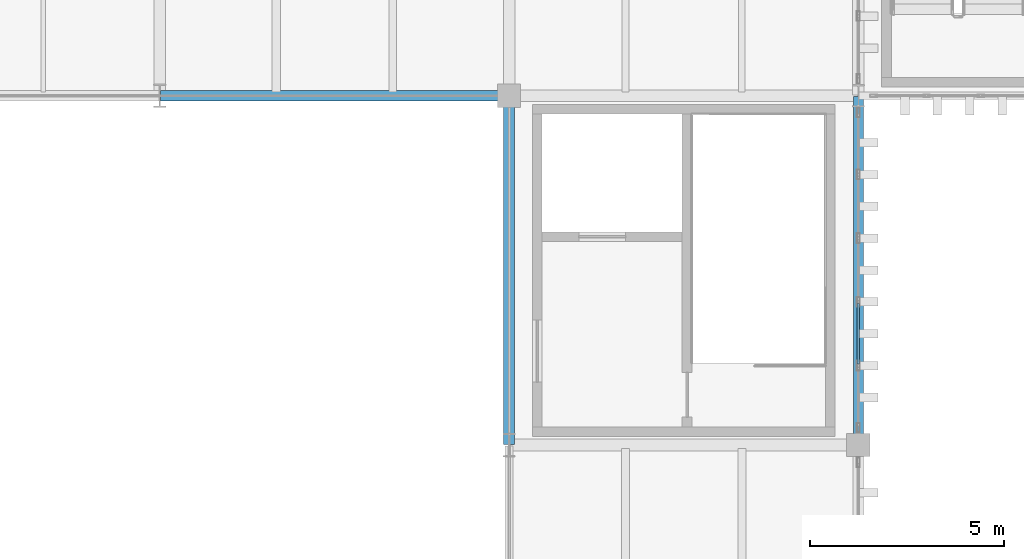
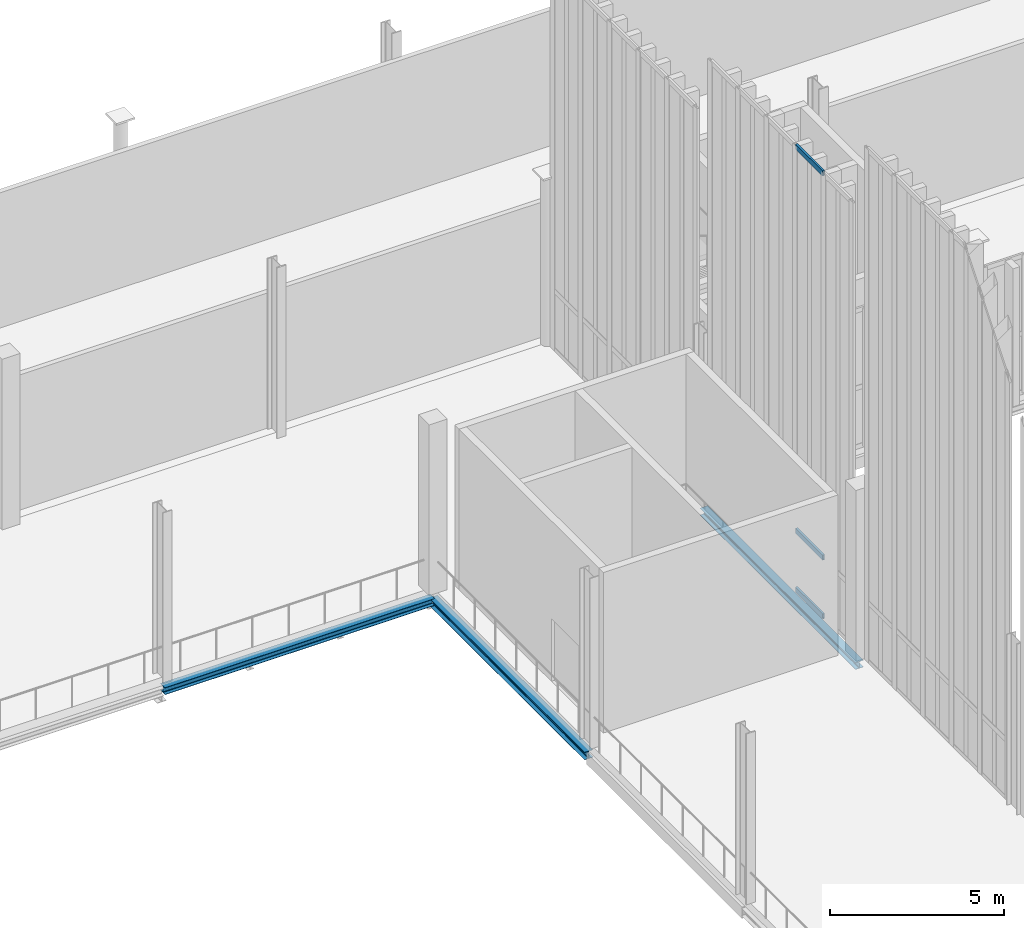
# One storey, part 68 of 237: 3 beams, 3 members, 1 element without a shape of its own.
"""IFC4 building model written with IfcOpenShell, lengths in metres."""

from ifc_helpers import new_model, si_unit, direction, frame, origin, origin_2d, place, context, subcontext, project, spatial, hollow_rectangle, i_section, extrude, material, layer, layer_set, material_profile, profile_set, type_object, element, aggregate, save


model = new_model("IFC4")

# Units and contexts
model_context = context("Model", 3, precision=1e-05, world=origin(), true_north=direction((0.0, 1.0)))
body_context = subcontext(model_context, "Body", "Model", "MODEL_VIEW")
ifc_project = project(units=[si_unit("LENGTHUNIT", "METRE"), si_unit("AREAUNIT", "SQUARE_METRE"), si_unit("VOLUMEUNIT", "CUBIC_METRE"), si_unit("PLANEANGLEUNIT", "RADIAN"), si_unit("MASSUNIT", "GRAM", prefix="KILO")], contexts=[model_context])

# Site, building, storey
site_placement = place(None, origin())
site = spatial("IfcSite", under=ifc_project, at=site_placement, CompositionType="ELEMENT")
building_placement = place(site_placement, origin())
building = spatial("IfcBuilding", under=site, at=building_placement, Name="Barlavento Convention Centre", CompositionType="ELEMENT")
storey_placement = place(building_placement, frame((0.0, 0.0, 12.0)))
storey = spatial("IfcBuildingStorey", under=building, at=storey_placement, Name="L02", CompositionType="ELEMENT", Elevation=12.0)

# Curtain wall, members
ifc_material_1 = material(Name="Powder-coated aluminium and Low-E glass", Category="aluminium")
ifc_layer = layer(ifc_material_1, 0.18994140625)
ifc_layer_set = layer_set([ifc_layer], Name="ARC-CW-CONG-L02")
curtain_wall_type = type_object("IfcCurtainWallType", Name="ARC-CW-CONG-L02", PredefinedType="NOTDEFINED", material=ifc_layer_set)
curtain_wall_placement = place(storey_placement, origin())
curtain_wall = element("IfcCurtainWall", 1, at=curtain_wall_placement, inside=storey, type_object=curtain_wall_type, Name="L02 unitised curtain wall CW02", PredefinedType="NOTDEFINED")
ifc_material_2 = material(Name="Powder-coated aluminium", Category="aluminium")
ifc_material_profile_1 = material_profile(ifc_material_2, hollow_rectangle(XDim=0.070068359375, YDim=0.179931640625, WallThickness=0.0048828125, at=origin_2d()), Name="AL-TRAN 70x180x5")
ifc_profile_set_1 = profile_set([ifc_material_profile_1], Name="Powder-coated aluminium")
member_type = type_object("IfcMemberType", Name="ARC-CWT-70X180", PredefinedType="USERDEFINED", material=ifc_profile_set_1)
member_1_placement = place(storey_placement, frame((63.0, 38.083251953125, 0.034912109375), z_axis=(0.0, 1.0, 0.0), x_axis=(-1.0, 0.0, 0.0)))
member_1 = element("IfcMember", 2, at=member_1_placement, type_object=member_type, Name="CW02 transom 2.1", ObjectType="TRANSOM", PredefinedType="USERDEFINED", context=body_context, shape_type="SweptSolid", body=[
    extrude(hollow_rectangle(XDim=0.070068359375, YDim=0.179931640625, WallThickness=0.0048828125, at=origin_2d()), origin(), (0.0, 0.0, 1.0), 1.56591796875),
])
member_2_placement = place(storey_placement, frame((63.0, 38.083251953125, 2.10009765625), z_axis=(0.0, 1.0, 0.0), x_axis=(-1.0, 0.0, 0.0)))
member_2 = element("IfcMember", 3, at=member_2_placement, type_object=member_type, Name="CW02 transom 2.2", ObjectType="TRANSOM", PredefinedType="USERDEFINED", context=body_context, shape_type="SweptSolid", body=[
    extrude(hollow_rectangle(XDim=0.070068359375, YDim=0.179931640625, WallThickness=0.0048828125, at=origin_2d()), origin(), (0.0, 0.0, 1.0), 1.56591796875),
])
member_3_placement = place(storey_placement, frame((63.0, 38.083251953125, 15.60595703125), z_axis=(0.0, 1.0, 0.0), x_axis=(-1.0, 0.0, 0.0)))
member_3 = element("IfcMember", 4, at=member_3_placement, type_object=member_type, Name="CW02 transom 2.3", ObjectType="TRANSOM", PredefinedType="USERDEFINED", context=body_context, shape_type="SweptSolid", body=[
    extrude(hollow_rectangle(XDim=0.070068359375, YDim=0.179931640625, WallThickness=0.0048828125, at=origin_2d()), origin(), (0.0, 0.0, 1.0), 1.56591796875),
])
aggregate(curtain_wall, [member_1, member_2, member_3])

# Beams
ifc_material_3 = material(Name="Steel S355", Category="steel")
ifc_material_profile_2 = material_profile(ifc_material_3, i_section(OverallWidth=0.260009765625, OverallDepth=0.25, WebThickness=0.007568359375, FlangeThickness=0.012451171875, FilletRadius=0.02392578125, at=origin_2d()), Name="HEA 260")
ifc_profile_set_2 = profile_set([ifc_material_profile_2], Name="Steel S355")
beam_type_1 = type_object("IfcBeamType", Name="STR-BM-SPN-HEA260", PredefinedType="SPANDREL", material=ifc_profile_set_2)
for number, where, z_axis, x_axis, name in (
    (5, (45.02001953125, 45.0, -0.425048828125), (1.0, 0.0, 0.0), (0.0, 1.0, 0.0), "L02 primary girder SP04"),
    (6, (63.0, 36.02001953125, -0.425048828125), (0.0, 1.0, 0.0), (-1.0, 0.0, 0.0), "L02 grid girder SP04"),
):
    element("IfcBeam", number, at=place(storey_placement, frame(where, z_axis=z_axis, x_axis=x_axis)), inside=storey, type_object=beam_type_1, Name=name, PredefinedType="SPANDREL", context=body_context, shape_type="SweptSolid", body=[
        extrude(i_section(OverallWidth=0.260009765625, OverallDepth=0.25, WebThickness=0.007568359375, FlangeThickness=0.012451171875, FilletRadius=0.02392578125, at=origin_2d()), origin(), (0.0, 0.0, 1.0), 8.9599609375),
    ])
ifc_material_profile_3 = material_profile(ifc_material_3, i_section(OverallWidth=0.280029296875, OverallDepth=0.27001953125, WebThickness=0.008056640625, FlangeThickness=0.012939453125, FilletRadius=0.02392578125, at=origin_2d()), Name="HEA 280")
ifc_profile_set_3 = profile_set([ifc_material_profile_3], Name="Steel S355")
beam_type_2 = type_object("IfcBeamType", Name="STR-BM-SPN-HEA280", PredefinedType="SPANDREL", material=ifc_profile_set_3)
beam_placement = place(storey_placement, frame((54.0, 36.02001953125, -0.43505859375), z_axis=(0.0, 1.0, 0.0), x_axis=(-1.0, 0.0, 0.0)))
element("IfcBeam", 7, at=beam_placement, inside=storey, type_object=beam_type_2, Name="L02 grid girder SP03", PredefinedType="SPANDREL", context=body_context, shape_type="SweptSolid", body=[
    extrude(i_section(OverallWidth=0.280029296875, OverallDepth=0.27001953125, WebThickness=0.008056640625, FlangeThickness=0.012939453125, FilletRadius=0.02392578125, at=origin_2d()), origin(), (0.0, 0.0, 1.0), 8.9599609375),
])

save(model, "model.ifc")
